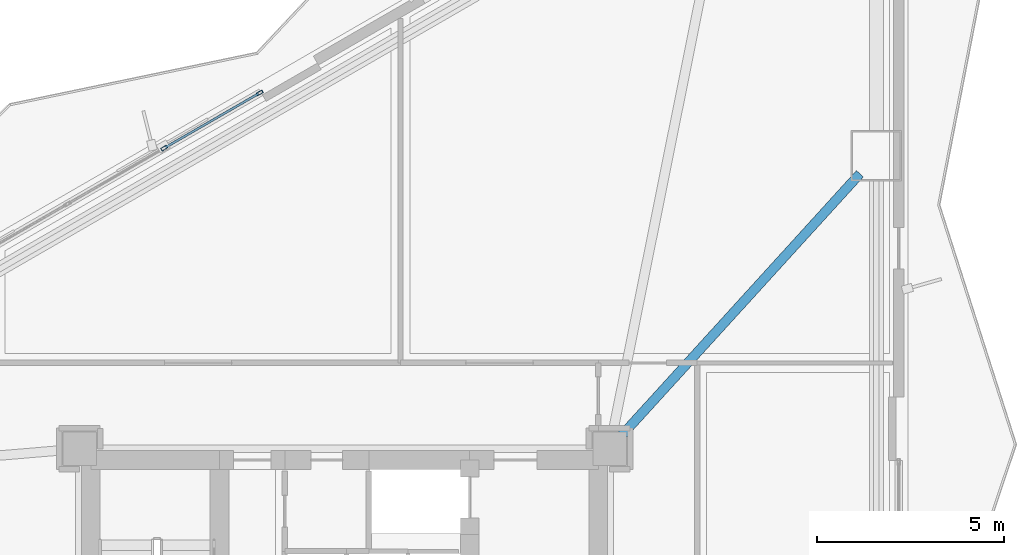
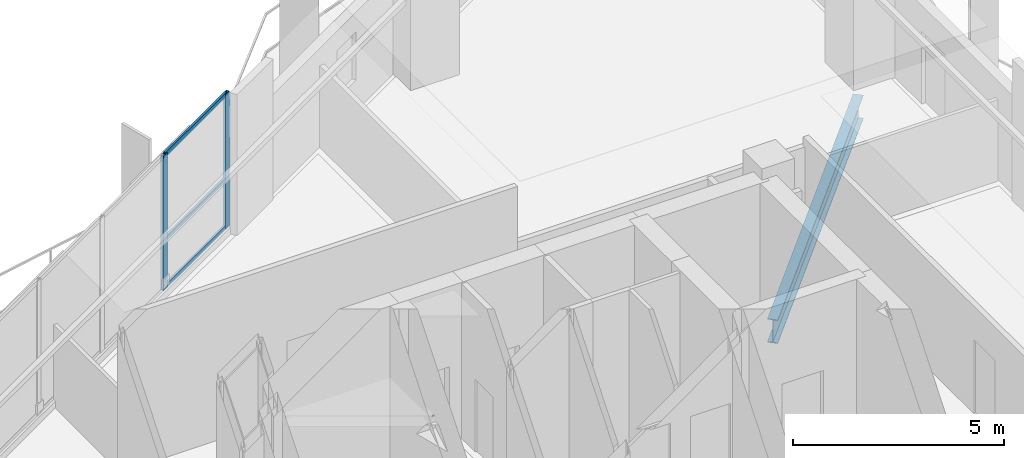
# One storey, part 9 of 16: 5 members, 1 beam, 1 element without a shape of its own.
"""IFC4 building model written with IfcOpenShell, lengths in metres."""

from ifc_helpers import new_model, si_unit, direction, frame, origin, origin_2d, place, context, subcontext, project, spatial, hollow_rectangle, i_section, extrude, material, layer, layer_set, material_profile, profile_set, type_object, element, aggregate, save


model = new_model("IFC4")

# Units and contexts
model_context = context("Model", 3, precision=1e-05, world=origin(), true_north=direction((0.0, 1.0)))
body_context = subcontext(model_context, "Body", "Model", "MODEL_VIEW")
ifc_project = project(units=[si_unit("LENGTHUNIT", "METRE"), si_unit("AREAUNIT", "SQUARE_METRE"), si_unit("VOLUMEUNIT", "CUBIC_METRE"), si_unit("PLANEANGLEUNIT", "RADIAN"), si_unit("MASSUNIT", "GRAM", prefix="KILO")], contexts=[model_context])

# Site, building, storey
site_placement = place(None, origin())
site = spatial("IfcSite", under=ifc_project, at=site_placement, CompositionType="ELEMENT")
building_placement = place(site_placement, origin())
building = spatial("IfcBuilding", under=site, at=building_placement, Name="Mersakhor Tower and Convention Hall", CompositionType="ELEMENT")
storey_placement = place(building_placement, frame((0.0, 0.0, 62.10009765625)))
storey = spatial("IfcBuildingStorey", under=building, at=storey_placement, Name="L17", CompositionType="ELEMENT", Elevation=62.10009765625)

# Beam
ifc_material_1 = material(Name="Steel S355", Category="steel")
ifc_material_profile_1 = material_profile(ifc_material_1, i_section(OverallWidth=0.25439453125, OverallDepth=0.6875, WebThickness=0.01318359375, FlangeThickness=0.02099609375, at=origin_2d()), Name="UB 686x254x152")
ifc_profile_set_1 = profile_set([ifc_material_profile_1], Name="Steel S355")
beam_type = type_object("IfcBeamType", Name="BM-PR-686", PredefinedType="BEAM", material=ifc_profile_set_1)
beam_placement = place(storey_placement, frame((36.389404296875, 33.367919921875, -0.623779296875), z_axis=(0.67316322447, 0.739493930483, 0.0), x_axis=(-0.739493930483, 0.67316322447, 0.0)))
element("IfcBeam", 1, at=beam_placement, inside=storey, type_object=beam_type, Name="L17 Primary Floor Girder FG-3", PredefinedType="BEAM", context=body_context, shape_type="SweptSolid", body=[
    extrude(i_section(OverallWidth=0.25439453125, OverallDepth=0.6875, WebThickness=0.01318359375, FlangeThickness=0.02099609375, at=origin_2d()), origin(), (0.0, 0.0, 1.0), 9.53662109375),
])

# Curtain wall, members
ifc_material_2 = material(Name="Dark solar low-E aluminium curtain wall", Category="aluminium")
ifc_layer = layer(ifc_material_2, 0.199951171875)
ifc_layer_set = layer_set([ifc_layer], Name="Dark solar low-E aluminium curtain wall")
curtain_wall_type = type_object("IfcCurtainWallType", Name="CW-SYS-05", PredefinedType="USERDEFINED", material=ifc_layer_set)
curtain_wall_placement = place(storey_placement, origin())
curtain_wall = element("IfcCurtainWall", 2, at=curtain_wall_placement, inside=storey, type_object=curtain_wall_type, Name="L17 Dark-Glass Curtain Wall F1-B2", ObjectType="CURTAIN WALL", PredefinedType="USERDEFINED")
ifc_material_3 = material(Name="Anodised aluminium EN AW-6063 T6", Category="aluminium")
ifc_material_profile_2 = material_profile(ifc_material_3, hollow_rectangle(XDim=0.080078125, YDim=0.179931640625, WallThickness=0.008056640625, at=origin_2d()), Name="RHS 180x80x8")
ifc_profile_set_2 = profile_set([ifc_material_profile_2], Name="Anodised aluminium EN AW-6063 T6")
member_type_1 = type_object("IfcMemberType", Name="CWM-180x80", PredefinedType="MULLION", material=ifc_profile_set_2)
member_1_placement = place(storey_placement, frame((24.167236328125, 41.107177734375, 0.199951171875), z_axis=(0.0, 0.0, 1.0), x_axis=(-0.50000344889, 0.866023412558, 0.0)))
member_1 = element("IfcMember", 3, at=member_1_placement, type_object=member_type_1, Name="CW-05 mullion 4", PredefinedType="MULLION", context=body_context, shape_type="SweptSolid", body=[
    extrude(hollow_rectangle(XDim=0.080078125, YDim=0.179931640625, WallThickness=0.008056640625, at=origin_2d()), origin(), (0.0, 0.0, 1.0), 3.89990234375),
])
member_2_placement = place(storey_placement, frame((26.724853515625, 42.583740234375, 0.199951171875), z_axis=(0.0, 0.0, 1.0), x_axis=(-0.50000344889, 0.866023412558, 0.0)))
member_2 = element("IfcMember", 4, at=member_2_placement, type_object=member_type_1, Name="CW-05 mullion 5", PredefinedType="MULLION", context=body_context, shape_type="SweptSolid", body=[
    extrude(hollow_rectangle(XDim=0.080078125, YDim=0.179931640625, WallThickness=0.008056640625, at=origin_2d()), origin(), (0.0, 0.0, 1.0), 3.89990234375),
])
ifc_material_4 = material(Name="Anodised aluminium EN AW-6063 T6", Category="aluminium")
ifc_material_profile_3 = material_profile(ifc_material_4, hollow_rectangle(XDim=0.06005859375, YDim=0.1201171875, WallThickness=0.0048828125, at=origin_2d()), Name="RHS 120x60x5")
ifc_profile_set_3 = profile_set([ifc_material_profile_3], Name="Anodised aluminium EN AW-6063 T6")
member_type_2 = type_object("IfcMemberType", Name="CWT-120x60", PredefinedType="USERDEFINED", material=ifc_profile_set_3)
member_3_placement = place(storey_placement, frame((24.201904296875, 41.127197265625, 0.22998046875), z_axis=(0.866038426532, 0.499977443261, 0.0), x_axis=(-0.499977443261, 0.866038426532, 0.0)))
member_3 = element("IfcMember", 5, at=member_3_placement, type_object=member_type_2, Name="CW-05 transom 4.1", ObjectType="TRANSOM", PredefinedType="USERDEFINED", context=body_context, shape_type="SweptSolid", body=[
    extrude(hollow_rectangle(XDim=0.06005859375, YDim=0.1201171875, WallThickness=0.0048828125, at=origin_2d()), origin(), (0.0, 0.0, 1.0), 2.873291015625),
])
member_4_placement = place(storey_placement, frame((24.201904296875, 41.127197265625, 1.619873046875), z_axis=(0.866038426532, 0.499977443261, 0.0), x_axis=(-0.499977443261, 0.866038426532, 0.0)))
member_4 = element("IfcMember", 6, at=member_4_placement, type_object=member_type_2, Name="CW-05 transom 4.2", ObjectType="TRANSOM", PredefinedType="USERDEFINED", context=body_context, shape_type="SweptSolid", body=[
    extrude(hollow_rectangle(XDim=0.06005859375, YDim=0.1201171875, WallThickness=0.0048828125, at=origin_2d()), origin(), (0.0, 0.0, 1.0), 2.873291015625),
])
member_5_placement = place(storey_placement, frame((24.201904296875, 41.127197265625, 4.06982421875), z_axis=(0.866038426532, 0.499977443261, 0.0), x_axis=(-0.499977443261, 0.866038426532, 0.0)))
member_5 = element("IfcMember", 7, at=member_5_placement, type_object=member_type_2, Name="CW-05 transom 4.3", ObjectType="TRANSOM", PredefinedType="USERDEFINED", context=body_context, shape_type="SweptSolid", body=[
    extrude(hollow_rectangle(XDim=0.06005859375, YDim=0.1201171875, WallThickness=0.0048828125, at=origin_2d()), origin(), (0.0, 0.0, 1.0), 2.873291015625),
])
aggregate(curtain_wall, [member_1, member_2, member_3, member_4, member_5])

save(model, "model.ifc")
